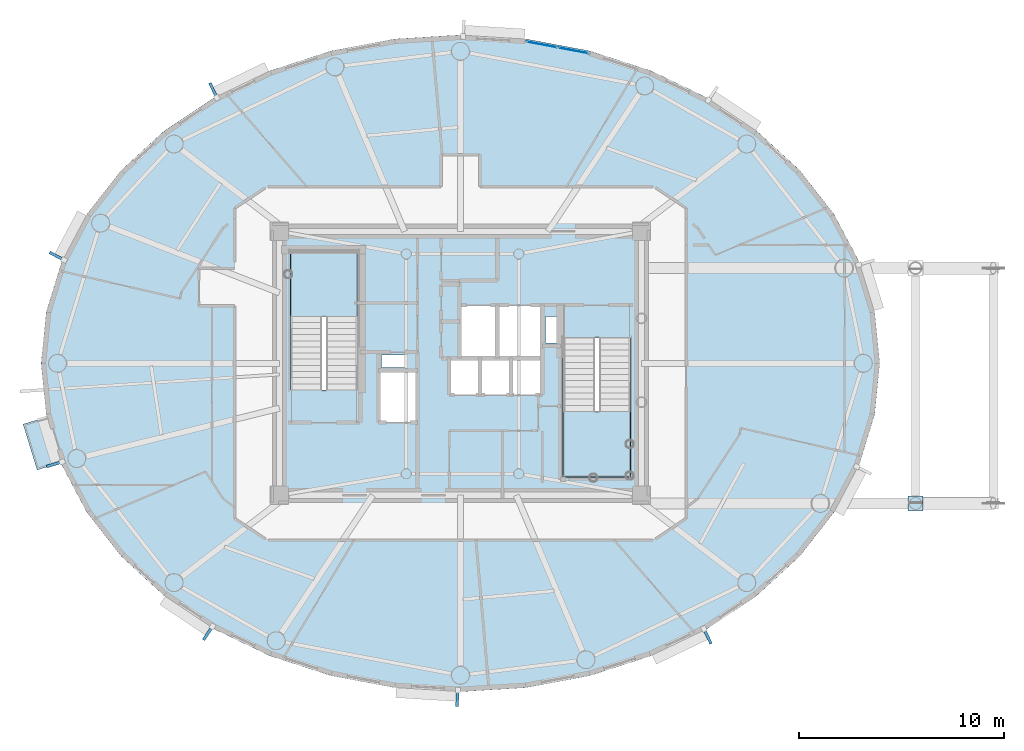
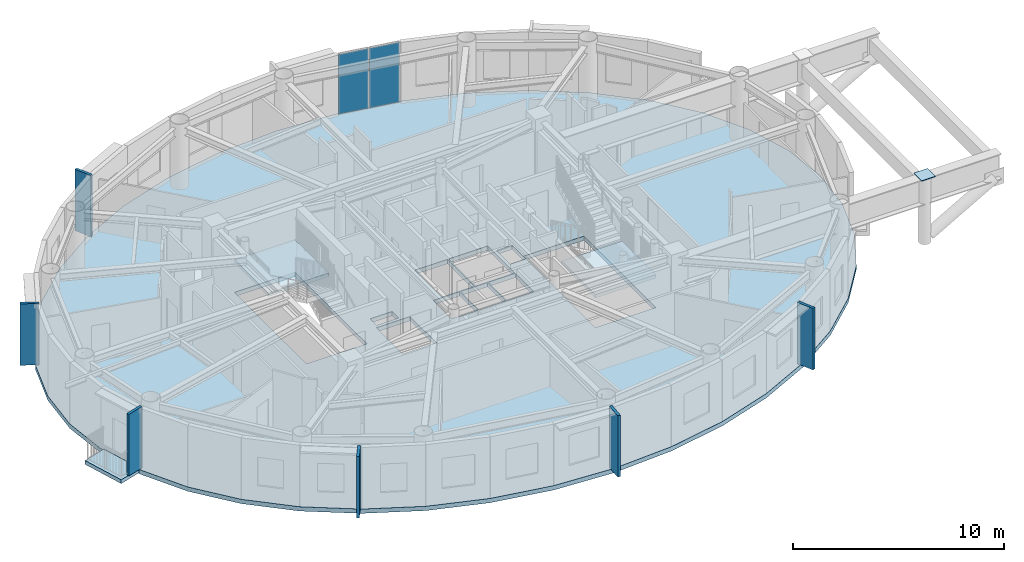
# One storey, part 6 of 19: 9 plates, 4 slabs, 3 elements without a shape of their own.
"""IFC4 building model written with IfcOpenShell, lengths in metres."""

from ifc_helpers import new_model, si_unit, direction, frame, origin, origin_2d, place, context, subcontext, project, spatial, polyline, rectangle, outline, extrude, source, transform, mapped, material, layer, layer_set, type_object, element, aggregate, save


model = new_model("IFC4")

# Units and contexts
model_context = context("Model", 3, precision=1e-05, world=origin(), true_north=direction((0.0, 1.0)))
body_context = subcontext(model_context, "Body", "Model", "MODEL_VIEW")
ifc_project = project(units=[si_unit("LENGTHUNIT", "METRE"), si_unit("AREAUNIT", "SQUARE_METRE"), si_unit("VOLUMEUNIT", "CUBIC_METRE"), si_unit("PLANEANGLEUNIT", "RADIAN"), si_unit("MASSUNIT", "GRAM", prefix="KILO")], contexts=[model_context])

# Site, building, storey
site_placement = place(None, origin())
site = spatial("IfcSite", under=ifc_project, at=site_placement, CompositionType="ELEMENT")
building_placement = place(site_placement, origin())
building = spatial("IfcBuilding", under=site, at=building_placement, Name="Linh Dai School and Residence Tower", CompositionType="ELEMENT")
storey_placement = place(building_placement, frame((0.0, 0.0, 339.199951171875)))
storey = spatial("IfcBuildingStorey", under=building, at=storey_placement, Name="L84", CompositionType="ELEMENT", Elevation=339.199951171875)

# Slabs
ifc_material_1 = material(Name="Concrete B45 (C35/45)", Category="concrete")
ifc_layer_1 = layer(ifc_material_1, 0.219970703125)
ifc_layer_set_1 = layer_set([ifc_layer_1], Name="Concrete B45 (C35/45)")
slab_type_1 = type_object("IfcSlabType", Name="SLB-BALC-220", PredefinedType="FLOOR", material=ifc_layer_set_1)
slab_1_placement = place(storey_placement, frame((0.0, 0.0, -0.219970703125)))
element("IfcSlab", 1, at=slab_1_placement, inside=storey, type_object=slab_type_1, Name="L84 Sliding Balcony Slab 22", PredefinedType="FLOOR", context=body_context, shape_type="SweptSolid", body=[
    extrude(outline(polyline([(16.54638671875, 22.1689453125), (15.861083984375, 24.404541015625), (14.618408203125, 24.0234375), (15.303466796875, 21.7880859375), (16.54638671875, 22.1689453125)])), origin(), (0.0, 0.0, 1.0), 0.219970703125),
])
ifc_layer_2 = layer(ifc_material_1, 0.25)
ifc_layer_set_2 = layer_set([ifc_layer_2], Name="Concrete B45 (C35/45)")
slab_type_2 = type_object("IfcSlabType", Name="SLB-FLR250", PredefinedType="FLOOR", material=ifc_layer_set_2)
slab_2_placement = place(storey_placement, frame((0.0, 0.0, -0.25)))
element("IfcSlab", 2, at=slab_2_placement, inside=storey, type_object=slab_type_2, Name="L84 Composite Structural Floor Slab", PredefinedType="FLOOR", context=body_context, shape_type="SweptSolid", body=[
    extrude(outline(polyline([(56.5, 27.0), (56.24755859375, 29.511474609375), (55.49658203125, 31.961181640625), (54.265625, 34.288818359375), (52.5849609375, 36.43701171875), (50.49560546875, 38.3525390625), (48.049560546875, 39.98876953125), (45.306884765625, 41.30517578125), (42.3349609375, 42.269287109375), (39.206787109375, 42.857421875), (36.0, 43.054931640625), (32.793212890625, 42.857421875), (29.6650390625, 42.269287109375), (26.693115234375, 41.30517578125), (23.950439453125, 39.98876953125), (21.50439453125, 38.3525390625), (19.4150390625, 36.43701171875), (17.734375, 34.288818359375), (16.50341796875, 31.961181640625), (15.75244140625, 29.511474609375), (15.5, 27.0), (15.75244140625, 24.488525390625), (16.50341796875, 22.038818359375), (17.734375, 19.711181640625), (19.4150390625, 17.56298828125), (21.50439453125, 15.6474609375), (23.950439453125, 14.01123046875), (26.693115234375, 12.69482421875), (29.6650390625, 11.730712890625), (32.793212890625, 11.142578125), (36.0, 10.945068359375), (39.206787109375, 11.142578125), (42.3349609375, 11.730712890625), (45.306884765625, 12.69482421875), (48.049560546875, 14.01123046875), (50.49560546875, 15.6474609375), (52.5849609375, 17.56298828125), (54.265625, 19.711181640625), (55.49658203125, 22.038818359375), (56.24755859375, 24.488525390625), (56.5, 27.0)]), holes=[polyline([(30.97998046875, 25.699951171875), (30.97998046875, 32.5), (27.679931640625, 32.5), (27.679931640625, 25.699951171875), (30.97998046875, 25.699951171875)]), polyline([(41.02001953125, 28.25), (41.02001953125, 21.449951171875), (44.320068359375, 21.449951171875), (44.320068359375, 28.25), (41.02001953125, 28.25)]), polyline([(35.97998046875, 27.280029296875), (37.77001953125, 27.280029296875), (37.77001953125, 29.820068359375), (35.97998046875, 29.820068359375), (35.97998046875, 27.280029296875)]), polyline([(32.030029296875, 24.1298828125), (33.8701171875, 24.1298828125), (33.8701171875, 26.6201171875), (32.030029296875, 26.6201171875), (32.030029296875, 24.1298828125)]), polyline([(37.830078125, 27.280029296875), (39.969970703125, 27.280029296875), (39.969970703125, 29.820068359375), (37.830078125, 29.820068359375), (37.830078125, 27.280029296875)]), polyline([(35.47998046875, 25.47998046875), (36.929931640625, 25.47998046875), (36.929931640625, 27.219970703125), (35.47998046875, 27.219970703125), (35.47998046875, 25.47998046875)]), polyline([(36.989990234375, 25.47998046875), (38.449951171875, 25.47998046875), (38.449951171875, 27.219970703125), (36.989990234375, 27.219970703125), (36.989990234375, 25.47998046875)]), polyline([(38.510009765625, 25.47998046875), (39.969970703125, 25.47998046875), (39.969970703125, 27.219970703125), (38.510009765625, 27.219970703125), (38.510009765625, 25.47998046875)]), polyline([(40.14990234375, 28.0), (40.14990234375, 29.300048828125), (41.0, 29.300048828125), (41.0, 28.280029296875), (40.989990234375, 28.280029296875), (40.989990234375, 28.0), (40.14990234375, 28.0)]), polyline([(32.14990234375, 26.800048828125), (33.35009765625, 26.800048828125), (33.35009765625, 27.39990234375), (32.14990234375, 27.39990234375), (32.14990234375, 26.800048828125)])]), origin(), (0.0, 0.0, 1.0), 0.25),
])

# Stair, slab
stair_type = type_object("IfcStairType", Name="ST-DOG-1550-R1462", PredefinedType="HALF_TURN_STAIR", material=ifc_material_1)
stair_1_placement = place(storey_placement, origin())
stair_1 = element("IfcStair", 3, at=stair_1_placement, inside=storey, type_object=stair_type, Name="L84 Core Smokeproof Exit Stair ST1", PredefinedType="HALF_TURN_STAIR")
ifc_layer_3 = layer(ifc_material_1, 0.199951171875)
ifc_layer_set_3 = layer_set([ifc_layer_3], Name="Concrete B45 (C35/45)")
slab_type_3 = type_object("IfcSlabType", Name="SLB-ST-LANDING-200", PredefinedType="LANDING", material=ifc_layer_set_3)
slab_3_placement = place(storey_placement, frame((0.0, 0.0, 1.699951171875)))
slab_3 = element("IfcSlab", 4, at=slab_3_placement, type_object=slab_type_3, Name="ST1 landing 1", PredefinedType="LANDING", context=body_context, shape_type="SweptSolid", body=[
    extrude(outline(polyline([(30.97998046875, 29.300048828125), (30.97998046875, 32.5), (27.679931640625, 32.5), (27.679931640625, 29.300048828125), (30.97998046875, 29.300048828125)])), origin(), (0.0, 0.0, 1.0), 0.2001953125),
])
aggregate(stair_1, [slab_3])

stair_2_placement = place(storey_placement, origin())
stair_2 = element("IfcStair", 5, at=stair_2_placement, inside=storey, type_object=stair_type, Name="L84 Core Smokeproof Exit Stair ST2", PredefinedType="HALF_TURN_STAIR")
slab_4_placement = place(storey_placement, frame((0.0, 0.0, 1.699951171875)))
slab_4 = element("IfcSlab", 6, at=slab_4_placement, type_object=slab_type_3, Name="ST2 landing 1", PredefinedType="LANDING", context=body_context, shape_type="SweptSolid", body=[
    extrude(outline(polyline([(41.02001953125, 24.64990234375), (41.02001953125, 21.449951171875), (44.320068359375, 21.449951171875), (44.320068359375, 24.64990234375), (41.02001953125, 24.64990234375)])), origin(), (0.0, 0.0, 1.0), 0.2001953125),
])
aggregate(stair_2, [slab_4])

# Plates
ifc_material_2 = material(Name="Structural Steel S355JR", Category="steel")
ifc_layer_4 = layer(ifc_material_2, 0.0400390625)
ifc_layer_set_4 = layer_set([ifc_layer_4], Name="Structural Steel S355JR")
plate_type_1 = type_object("IfcPlateType", Name="PLT-GP1", PredefinedType="USERDEFINED", material=ifc_layer_set_4)
shared_shape_1 = source(origin(), body_context, "Body", "SweptSolid", [
    extrude(rectangle(XDim=0.75, YDim=0.75, at=origin_2d()), origin(), (0.0, 0.0, 1.0), 0.0400390625),
])
plate_1_placement = place(storey_placement, frame((58.25, 20.1474609375, 3.550048828125), z_axis=(0.0, 0.0, 1.0), x_axis=(1.0, 0.0, 0.0)))
element("IfcPlate", 7, at=plate_1_placement, inside=storey, type_object=plate_type_1, Name="L84 Sky-Lounge Step Post Cap Plate S", ObjectType="GUSSET PLATE", PredefinedType="USERDEFINED", context=body_context, shape_type="MappedRepresentation", body=[
    mapped(shared_shape_1, transform((0.0, 0.0, 0.0), x_axis=(1.0, 0.0, 0.0), y_axis=(0.0, 1.0, 0.0), z_axis=(0.0, 0.0, 1.0), scale=1.0)),
])
ifc_material_3 = material(Name="Precast Concrete B45 (C35/45)", Category="concrete")
ifc_layer_5 = layer(ifc_material_3, 0.139892578125)
ifc_layer_set_5 = layer_set([ifc_layer_5], Name="Precast Concrete B45 (C35/45)")
plate_type_2 = type_object("IfcPlateType", Name="FIN-TC-900x140", PredefinedType="USERDEFINED", material=ifc_layer_set_5)
shared_shape_2 = source(origin(), body_context, "Body", "SweptSolid", [
    extrude(rectangle(XDim=0.89990234375, YDim=0.139892578125, at=origin_2d()), origin(), (0.0, 0.0, 1.0), 3.550048828125),
])
for number, where, z_axis, x_axis, name in (
    (8, (23.943115234375, 40.3017578125, 0.0), (0.0, 0.0, 1.0), (-0.432673572418, 0.901550652892, 0.0), "L84 Precast Terracotta Radial Fin 14"),
    (9, (16.3125, 32.211181640625, 0.0), (0.0, 0.0, 1.0), (-0.883971809156, 0.46754020214, 0.0), "L84 Precast Terracotta Radial Fin 18"),
    (10, (16.191650390625, 22.081298828125, 0.0), (0.0, 0.0, 1.0), (-0.956083389379, -0.293094784248, 0.0), "L84 Precast Terracotta Radial Fin 22"),
    (11, (23.6845703125, 13.845703125, 0.0), (0.0, 0.0, 1.0), (-0.555970777144, -0.831201837679, 0.0), "L84 Precast Terracotta Radial Fin 26"),
    (12, (35.85498046875, 10.668212890625, 0.0), (0.0, 0.0, 1.0), (-0.061518467854, -0.998105945335, 0.0), "L84 Precast Terracotta Radial Fin 30"),
    (13, (48.056884765625, 13.6982421875, 0.0), (0.0, 0.0, 1.0), (0.432673572418, -0.901550652892, 0.0), "L84 Precast Terracotta Radial Fin 34"),
):
    element("IfcPlate", number, at=place(storey_placement, frame(where, z_axis=z_axis, x_axis=x_axis)), inside=storey, type_object=plate_type_2, Name=name, ObjectType="RADIAL FIN", PredefinedType="USERDEFINED", context=body_context, shape_type="MappedRepresentation", body=[
        mapped(shared_shape_2, transform((0.0, 0.0, 0.0), x_axis=(1.0, 0.0, 0.0), y_axis=(0.0, 1.0, 0.0), z_axis=(0.0, 0.0, 1.0), scale=1.0)),
    ])

# Curtain wall, plates
ifc_material_4 = material(Name="Aluminium Anodised Curtain Wall", Category="aluminium")
ifc_layer_6 = layer(ifc_material_4, 0.14990234375)
ifc_layer_set_6 = layer_set([ifc_layer_6], Name="Aluminium Anodised Curtain Wall")
curtain_wall_type = type_object("IfcCurtainWallType", Name="CW-SYS-4", PredefinedType="USERDEFINED", material=ifc_layer_set_6)
curtain_wall_placement = place(storey_placement, origin())
curtain_wall = element("IfcCurtainWall", 14, at=curtain_wall_placement, inside=storey, type_object=curtain_wall_type, Name="L84 CW4 Curtain Wall 09", ObjectType="RIBBON CURTAIN WALL", PredefinedType="USERDEFINED")
ifc_material_5 = material(Name="Double Low-E Insulated Glazing", Category="glass")
ifc_layer_7 = layer(ifc_material_5, 0.02587890625)
ifc_layer_set_7 = layer_set([ifc_layer_7], Name="Double Low-E Insulated Glazing")
plate_type_3 = type_object("IfcPlateType", Name="CW-SYS-4-PAN", PredefinedType="CURTAIN_PANEL", material=ifc_layer_set_7)
shared_shape_3 = source(origin(), body_context, "Body", "SweptSolid", [
    extrude(rectangle(XDim=1.505615234375, YDim=0.02587890625, at=origin_2d()), origin(), (0.0, 0.0, 1.0), 3.446044921875),
])
plate_2_placement = place(storey_placement, frame((39.982421875, 42.58447265625, 0.05224609375), z_axis=(0.0, 0.0, 1.0), x_axis=(0.982779051851, -0.184784564405, 0.0)))
plate_2 = element("IfcPlate", 15, at=plate_2_placement, type_object=plate_type_3, Name="CW4 panel 1.1", PredefinedType="CURTAIN_PANEL", context=body_context, shape_type="MappedRepresentation", body=[
    mapped(shared_shape_3, transform((0.0, 0.0, 0.0), x_axis=(1.0, 0.0, 0.0), y_axis=(0.0, 1.0, 0.0), z_axis=(0.0, 0.0, 1.0), scale=1.0)),
])
plate_3_placement = place(storey_placement, frame((41.51318359375, 42.296875, 0.05224609375), z_axis=(0.0, 0.0, 1.0), x_axis=(0.982779051851, -0.184784564405, 0.0)))
plate_3 = element("IfcPlate", 16, at=plate_3_placement, type_object=plate_type_3, Name="CW4 panel 2.1", PredefinedType="CURTAIN_PANEL", context=body_context, shape_type="MappedRepresentation", body=[
    mapped(shared_shape_3, transform((0.0, 0.0, 0.0), x_axis=(1.0, 0.0, 0.0), y_axis=(0.0, 1.0, 0.0), z_axis=(0.0, 0.0, 1.0), scale=1.0)),
])
aggregate(curtain_wall, [plate_2, plate_3])

save(model, "model.ifc")
